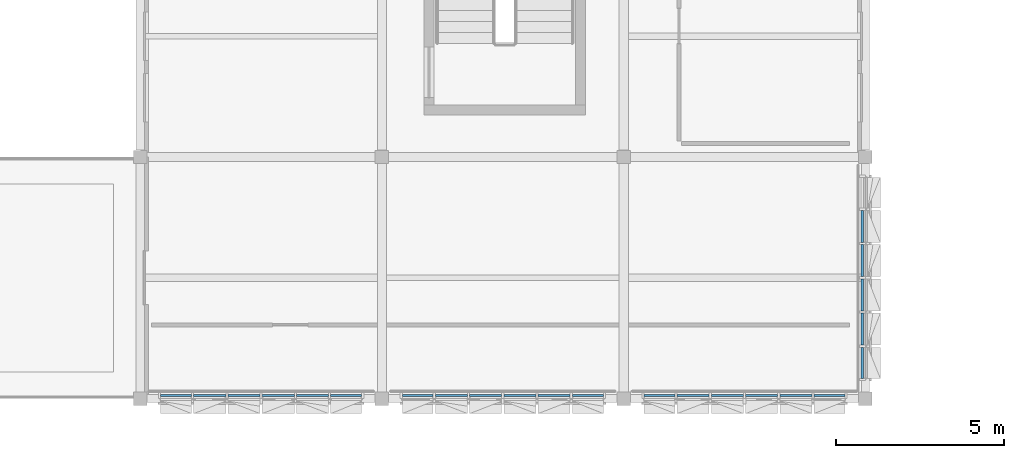
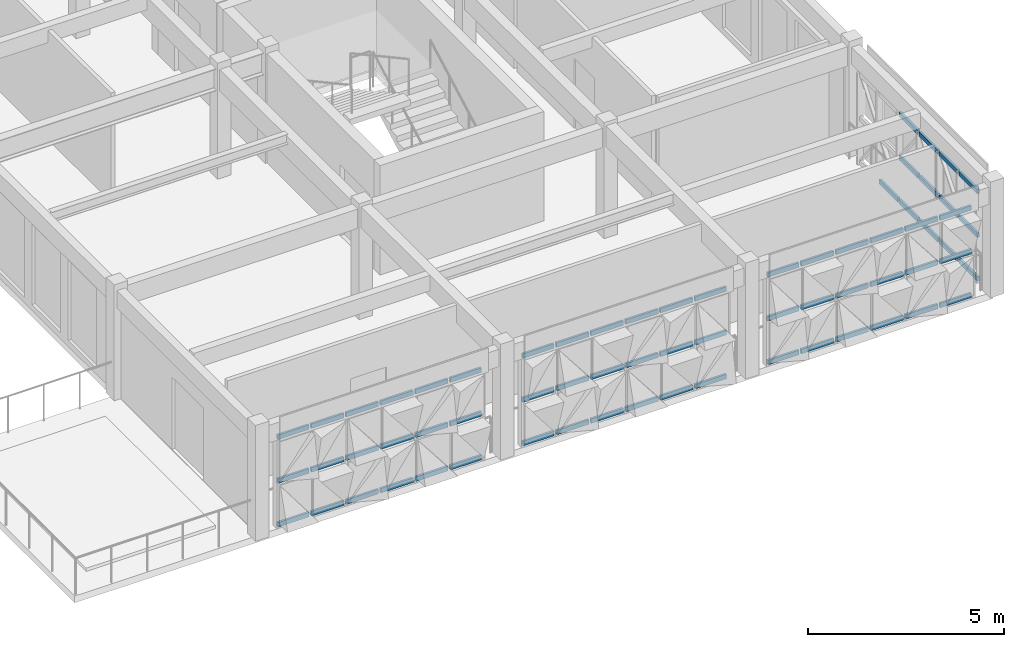
# One storey, part 8 of 25: 67 members, 4 elements without a shape of their own.
"""IFC4 building model written with IfcOpenShell, lengths in metres."""

from ifc_helpers import new_model, si_unit, direction, frame, origin, origin_2d, place, context, subcontext, project, spatial, rectangle, extrude, material, material_profile, profile_set, type_object, element, aggregate, save


model = new_model("IFC4")

# Units and contexts
model_context = context("Model", 3, precision=1e-05, world=origin(), true_north=direction((0.0, 1.0)))
body_context = subcontext(model_context, "Body", "Model", "MODEL_VIEW")
ifc_project = project(units=[si_unit("LENGTHUNIT", "METRE"), si_unit("AREAUNIT", "SQUARE_METRE"), si_unit("VOLUMEUNIT", "CUBIC_METRE"), si_unit("PLANEANGLEUNIT", "RADIAN"), si_unit("MASSUNIT", "GRAM", prefix="KILO")], contexts=[model_context])

# Site, building, storey
site_placement = place(None, origin())
site = spatial("IfcSite", under=ifc_project, at=site_placement, CompositionType="ELEMENT")
building_placement = place(site_placement, origin())
building = spatial("IfcBuilding", under=site, at=building_placement, Name="Alvorim Cloister Faculty of Sciences", CompositionType="ELEMENT")
storey_placement = place(building_placement, frame((0.0, 0.0, 29.699951171875)))
storey = spatial("IfcBuildingStorey", under=building, at=storey_placement, Name="L08", CompositionType="ELEMENT", Elevation=29.699951171875)

# Curtain wall, members
ifc_material_1 = material(Name="Aluminium and Low-E Glass Curtain Wall", Category="aluminium")
curtain_wall_type = type_object("IfcCurtainWallType", Name="CW-TRI-6120x2860", PredefinedType="USERDEFINED", material=ifc_material_1)
curtain_wall_1_placement = place(storey_placement, origin())
curtain_wall_1 = element("IfcCurtainWall", 1, at=curtain_wall_1_placement, inside=storey, type_object=curtain_wall_type, Name="L08 Diagonal Cassette Curtain Wall CW-0297", ObjectType="UNITISED CURTAIN WALL", PredefinedType="USERDEFINED")
ifc_material_2 = material(Name="Aluminium Alloy 6063-T6", Category="aluminium")
ifc_material_profile = material_profile(ifc_material_2, rectangle(XDim=0.06494140625, YDim=0.139892578125, at=origin_2d()), Name="ALU-TRN-65x140")
ifc_profile_set = profile_set([ifc_material_profile], Name="Aluminium Alloy 6063-T6")
member_type = type_object("IfcMemberType", Name="CW-TRN-65x140", PredefinedType="USERDEFINED", material=ifc_profile_set)
member_1_placement = place(storey_placement, frame((28.7099609375, 7.804931640625, 0.070068359375), z_axis=(0.0, 1.0, 0.0), x_axis=(-1.0, 0.0, 0.0)))
member_1 = element("IfcMember", 2, at=member_1_placement, type_object=member_type, Name="CW-0297 Transom 1.1", ObjectType="TRANSOM", PredefinedType="USERDEFINED", context=body_context, shape_type="SweptSolid", body=[
    extrude(rectangle(XDim=0.06494140625, YDim=0.139892578125, at=origin_2d()), origin(), (0.0, 0.0, 1.0), 0.922607421875),
])
member_2_placement = place(storey_placement, frame((28.7099609375, 7.804931640625, 1.429931640625), z_axis=(0.0, 1.0, 0.0), x_axis=(-1.0, 0.0, 0.0)))
member_2 = element("IfcMember", 3, at=member_2_placement, type_object=member_type, Name="CW-0297 Transom 1.2", ObjectType="TRANSOM", PredefinedType="USERDEFINED", context=body_context, shape_type="SweptSolid", body=[
    extrude(rectangle(XDim=0.06494140625, YDim=0.139892578125, at=origin_2d()), origin(), (0.0, 0.0, 1.0), 0.922607421875),
])
member_3_placement = place(storey_placement, frame((28.7099609375, 7.804931640625, 2.7900390625), z_axis=(0.0, 1.0, 0.0), x_axis=(-1.0, 0.0, 0.0)))
member_3 = element("IfcMember", 4, at=member_3_placement, type_object=member_type, Name="CW-0297 Transom 1.3", ObjectType="TRANSOM", PredefinedType="USERDEFINED", context=body_context, shape_type="SweptSolid", body=[
    extrude(rectangle(XDim=0.06494140625, YDim=0.139892578125, at=origin_2d()), origin(), (0.0, 0.0, 1.0), 0.922607421875),
])
member_4_placement = place(storey_placement, frame((28.7099609375, 8.79248046875, 0.070068359375), z_axis=(0.0, 1.0, 0.0), x_axis=(-1.0, 0.0, 0.0)))
member_4 = element("IfcMember", 5, at=member_4_placement, type_object=member_type, Name="CW-0297 Transom 2.1", ObjectType="TRANSOM", PredefinedType="USERDEFINED", context=body_context, shape_type="SweptSolid", body=[
    extrude(rectangle(XDim=0.06494140625, YDim=0.139892578125, at=origin_2d()), origin(), (0.0, 0.0, 1.0), 0.955078125),
])
member_5_placement = place(storey_placement, frame((28.7099609375, 8.79248046875, 1.429931640625), z_axis=(0.0, 1.0, 0.0), x_axis=(-1.0, 0.0, 0.0)))
member_5 = element("IfcMember", 6, at=member_5_placement, type_object=member_type, Name="CW-0297 Transom 2.2", ObjectType="TRANSOM", PredefinedType="USERDEFINED", context=body_context, shape_type="SweptSolid", body=[
    extrude(rectangle(XDim=0.06494140625, YDim=0.139892578125, at=origin_2d()), origin(), (0.0, 0.0, 1.0), 0.955078125),
])
member_6_placement = place(storey_placement, frame((28.7099609375, 8.79248046875, 2.7900390625), z_axis=(0.0, 1.0, 0.0), x_axis=(-1.0, 0.0, 0.0)))
member_6 = element("IfcMember", 7, at=member_6_placement, type_object=member_type, Name="CW-0297 Transom 2.3", ObjectType="TRANSOM", PredefinedType="USERDEFINED", context=body_context, shape_type="SweptSolid", body=[
    extrude(rectangle(XDim=0.06494140625, YDim=0.139892578125, at=origin_2d()), origin(), (0.0, 0.0, 1.0), 0.955078125),
])
member_7_placement = place(storey_placement, frame((28.7099609375, 9.8125, 0.070068359375), z_axis=(0.0, 1.0, 0.0), x_axis=(-1.0, 0.0, 0.0)))
member_7 = element("IfcMember", 8, at=member_7_placement, type_object=member_type, Name="CW-0297 Transom 3.1", ObjectType="TRANSOM", PredefinedType="USERDEFINED", context=body_context, shape_type="SweptSolid", body=[
    extrude(rectangle(XDim=0.06494140625, YDim=0.139892578125, at=origin_2d()), origin(), (0.0, 0.0, 1.0), 0.955078125),
])
member_8_placement = place(storey_placement, frame((28.7099609375, 9.8125, 1.429931640625), z_axis=(0.0, 1.0, 0.0), x_axis=(-1.0, 0.0, 0.0)))
member_8 = element("IfcMember", 9, at=member_8_placement, type_object=member_type, Name="CW-0297 Transom 3.2", ObjectType="TRANSOM", PredefinedType="USERDEFINED", context=body_context, shape_type="SweptSolid", body=[
    extrude(rectangle(XDim=0.06494140625, YDim=0.139892578125, at=origin_2d()), origin(), (0.0, 0.0, 1.0), 0.955078125),
])
member_9_placement = place(storey_placement, frame((28.7099609375, 9.8125, 2.7900390625), z_axis=(0.0, 1.0, 0.0), x_axis=(-1.0, 0.0, 0.0)))
member_9 = element("IfcMember", 10, at=member_9_placement, type_object=member_type, Name="CW-0297 Transom 3.3", ObjectType="TRANSOM", PredefinedType="USERDEFINED", context=body_context, shape_type="SweptSolid", body=[
    extrude(rectangle(XDim=0.06494140625, YDim=0.139892578125, at=origin_2d()), origin(), (0.0, 0.0, 1.0), 0.955078125),
])
member_10_placement = place(storey_placement, frame((28.7099609375, 10.83251953125, 0.070068359375), z_axis=(0.0, 1.0, 0.0), x_axis=(-1.0, 0.0, 0.0)))
member_10 = element("IfcMember", 11, at=member_10_placement, type_object=member_type, Name="CW-0297 Transom 4.1", ObjectType="TRANSOM", PredefinedType="USERDEFINED", context=body_context, shape_type="SweptSolid", body=[
    extrude(rectangle(XDim=0.06494140625, YDim=0.139892578125, at=origin_2d()), origin(), (0.0, 0.0, 1.0), 0.955078125),
])
member_11_placement = place(storey_placement, frame((28.7099609375, 10.83251953125, 1.429931640625), z_axis=(0.0, 1.0, 0.0), x_axis=(-1.0, 0.0, 0.0)))
member_11 = element("IfcMember", 12, at=member_11_placement, type_object=member_type, Name="CW-0297 Transom 4.2", ObjectType="TRANSOM", PredefinedType="USERDEFINED", context=body_context, shape_type="SweptSolid", body=[
    extrude(rectangle(XDim=0.06494140625, YDim=0.139892578125, at=origin_2d()), origin(), (0.0, 0.0, 1.0), 0.955078125),
])
member_12_placement = place(storey_placement, frame((28.7099609375, 10.83251953125, 2.7900390625), z_axis=(0.0, 1.0, 0.0), x_axis=(-1.0, 0.0, 0.0)))
member_12 = element("IfcMember", 13, at=member_12_placement, type_object=member_type, Name="CW-0297 Transom 4.3", ObjectType="TRANSOM", PredefinedType="USERDEFINED", context=body_context, shape_type="SweptSolid", body=[
    extrude(rectangle(XDim=0.06494140625, YDim=0.139892578125, at=origin_2d()), origin(), (0.0, 0.0, 1.0), 0.955078125),
])
member_13_placement = place(storey_placement, frame((28.7099609375, 11.8525390625, 0.070068359375), z_axis=(0.0, 1.0, 0.0), x_axis=(-1.0, 0.0, 0.0)))
member_13 = element("IfcMember", 14, at=member_13_placement, type_object=member_type, Name="CW-0297 Transom 5.1", ObjectType="TRANSOM", PredefinedType="USERDEFINED", context=body_context, shape_type="SweptSolid", body=[
    extrude(rectangle(XDim=0.06494140625, YDim=0.139892578125, at=origin_2d()), origin(), (0.0, 0.0, 1.0), 0.955078125),
])
aggregate(curtain_wall_1, [member_1, member_2, member_3, member_4, member_5, member_6, member_7, member_8, member_9, member_10, member_11, member_12, member_13])

curtain_wall_2_placement = place(storey_placement, origin())
curtain_wall_2 = element("IfcCurtainWall", 15, at=curtain_wall_2_placement, inside=storey, type_object=curtain_wall_type, Name="L08 Diagonal Cassette Curtain Wall CW-0298", ObjectType="UNITISED CURTAIN WALL", PredefinedType="USERDEFINED")
member_14_placement = place(storey_placement, frame((22.205078125, 7.2900390625, 0.070068359375), z_axis=(1.0, 0.0, 0.0), x_axis=(0.0, 1.0, 0.0)))
member_14 = element("IfcMember", 16, at=member_14_placement, type_object=member_type, Name="CW-0298 Transom 1.1", ObjectType="TRANSOM", PredefinedType="USERDEFINED", context=body_context, shape_type="SweptSolid", body=[
    extrude(rectangle(XDim=0.06494140625, YDim=0.139892578125, at=origin_2d()), origin(), (0.0, 0.0, 1.0), 0.92236328125),
])
member_15_placement = place(storey_placement, frame((22.205078125, 7.2900390625, 1.429931640625), z_axis=(1.0, 0.0, 0.0), x_axis=(0.0, 1.0, 0.0)))
member_15 = element("IfcMember", 17, at=member_15_placement, type_object=member_type, Name="CW-0298 Transom 1.2", ObjectType="TRANSOM", PredefinedType="USERDEFINED", context=body_context, shape_type="SweptSolid", body=[
    extrude(rectangle(XDim=0.06494140625, YDim=0.139892578125, at=origin_2d()), origin(), (0.0, 0.0, 1.0), 0.92236328125),
])
member_16_placement = place(storey_placement, frame((22.205078125, 7.2900390625, 2.7900390625), z_axis=(1.0, 0.0, 0.0), x_axis=(0.0, 1.0, 0.0)))
member_16 = element("IfcMember", 18, at=member_16_placement, type_object=member_type, Name="CW-0298 Transom 1.3", ObjectType="TRANSOM", PredefinedType="USERDEFINED", context=body_context, shape_type="SweptSolid", body=[
    extrude(rectangle(XDim=0.06494140625, YDim=0.139892578125, at=origin_2d()), origin(), (0.0, 0.0, 1.0), 0.92236328125),
])
member_17_placement = place(storey_placement, frame((23.1923828125, 7.2900390625, 0.070068359375), z_axis=(1.0, 0.0, 0.0), x_axis=(0.0, 1.0, 0.0)))
member_17 = element("IfcMember", 19, at=member_17_placement, type_object=member_type, Name="CW-0298 Transom 2.1", ObjectType="TRANSOM", PredefinedType="USERDEFINED", context=body_context, shape_type="SweptSolid", body=[
    extrude(rectangle(XDim=0.06494140625, YDim=0.139892578125, at=origin_2d()), origin(), (0.0, 0.0, 1.0), 0.955078125),
])
member_18_placement = place(storey_placement, frame((23.1923828125, 7.2900390625, 1.429931640625), z_axis=(1.0, 0.0, 0.0), x_axis=(0.0, 1.0, 0.0)))
member_18 = element("IfcMember", 20, at=member_18_placement, type_object=member_type, Name="CW-0298 Transom 2.2", ObjectType="TRANSOM", PredefinedType="USERDEFINED", context=body_context, shape_type="SweptSolid", body=[
    extrude(rectangle(XDim=0.06494140625, YDim=0.139892578125, at=origin_2d()), origin(), (0.0, 0.0, 1.0), 0.955078125),
])
member_19_placement = place(storey_placement, frame((23.1923828125, 7.2900390625, 2.7900390625), z_axis=(1.0, 0.0, 0.0), x_axis=(0.0, 1.0, 0.0)))
member_19 = element("IfcMember", 21, at=member_19_placement, type_object=member_type, Name="CW-0298 Transom 2.3", ObjectType="TRANSOM", PredefinedType="USERDEFINED", context=body_context, shape_type="SweptSolid", body=[
    extrude(rectangle(XDim=0.06494140625, YDim=0.139892578125, at=origin_2d()), origin(), (0.0, 0.0, 1.0), 0.955078125),
])
member_20_placement = place(storey_placement, frame((24.21240234375, 7.2900390625, 0.070068359375), z_axis=(1.0, 0.0, 0.0), x_axis=(0.0, 1.0, 0.0)))
member_20 = element("IfcMember", 22, at=member_20_placement, type_object=member_type, Name="CW-0298 Transom 3.1", ObjectType="TRANSOM", PredefinedType="USERDEFINED", context=body_context, shape_type="SweptSolid", body=[
    extrude(rectangle(XDim=0.06494140625, YDim=0.139892578125, at=origin_2d()), origin(), (0.0, 0.0, 1.0), 0.955078125),
])
member_21_placement = place(storey_placement, frame((24.21240234375, 7.2900390625, 1.429931640625), z_axis=(1.0, 0.0, 0.0), x_axis=(0.0, 1.0, 0.0)))
member_21 = element("IfcMember", 23, at=member_21_placement, type_object=member_type, Name="CW-0298 Transom 3.2", ObjectType="TRANSOM", PredefinedType="USERDEFINED", context=body_context, shape_type="SweptSolid", body=[
    extrude(rectangle(XDim=0.06494140625, YDim=0.139892578125, at=origin_2d()), origin(), (0.0, 0.0, 1.0), 0.955078125),
])
member_22_placement = place(storey_placement, frame((24.21240234375, 7.2900390625, 2.7900390625), z_axis=(1.0, 0.0, 0.0), x_axis=(0.0, 1.0, 0.0)))
member_22 = element("IfcMember", 24, at=member_22_placement, type_object=member_type, Name="CW-0298 Transom 3.3", ObjectType="TRANSOM", PredefinedType="USERDEFINED", context=body_context, shape_type="SweptSolid", body=[
    extrude(rectangle(XDim=0.06494140625, YDim=0.139892578125, at=origin_2d()), origin(), (0.0, 0.0, 1.0), 0.955078125),
])
member_23_placement = place(storey_placement, frame((25.232421875, 7.2900390625, 0.070068359375), z_axis=(1.0, 0.0, 0.0), x_axis=(0.0, 1.0, 0.0)))
member_23 = element("IfcMember", 25, at=member_23_placement, type_object=member_type, Name="CW-0298 Transom 4.1", ObjectType="TRANSOM", PredefinedType="USERDEFINED", context=body_context, shape_type="SweptSolid", body=[
    extrude(rectangle(XDim=0.06494140625, YDim=0.139892578125, at=origin_2d()), origin(), (0.0, 0.0, 1.0), 0.955078125),
])
member_24_placement = place(storey_placement, frame((25.232421875, 7.2900390625, 1.429931640625), z_axis=(1.0, 0.0, 0.0), x_axis=(0.0, 1.0, 0.0)))
member_24 = element("IfcMember", 26, at=member_24_placement, type_object=member_type, Name="CW-0298 Transom 4.2", ObjectType="TRANSOM", PredefinedType="USERDEFINED", context=body_context, shape_type="SweptSolid", body=[
    extrude(rectangle(XDim=0.06494140625, YDim=0.139892578125, at=origin_2d()), origin(), (0.0, 0.0, 1.0), 0.955078125),
])
member_25_placement = place(storey_placement, frame((25.232421875, 7.2900390625, 2.7900390625), z_axis=(1.0, 0.0, 0.0), x_axis=(0.0, 1.0, 0.0)))
member_25 = element("IfcMember", 27, at=member_25_placement, type_object=member_type, Name="CW-0298 Transom 4.3", ObjectType="TRANSOM", PredefinedType="USERDEFINED", context=body_context, shape_type="SweptSolid", body=[
    extrude(rectangle(XDim=0.06494140625, YDim=0.139892578125, at=origin_2d()), origin(), (0.0, 0.0, 1.0), 0.955078125),
])
member_26_placement = place(storey_placement, frame((26.25244140625, 7.2900390625, 0.070068359375), z_axis=(1.0, 0.0, 0.0), x_axis=(0.0, 1.0, 0.0)))
member_26 = element("IfcMember", 28, at=member_26_placement, type_object=member_type, Name="CW-0298 Transom 5.1", ObjectType="TRANSOM", PredefinedType="USERDEFINED", context=body_context, shape_type="SweptSolid", body=[
    extrude(rectangle(XDim=0.06494140625, YDim=0.139892578125, at=origin_2d()), origin(), (0.0, 0.0, 1.0), 0.955078125),
])
member_27_placement = place(storey_placement, frame((26.25244140625, 7.2900390625, 1.429931640625), z_axis=(1.0, 0.0, 0.0), x_axis=(0.0, 1.0, 0.0)))
member_27 = element("IfcMember", 29, at=member_27_placement, type_object=member_type, Name="CW-0298 Transom 5.2", ObjectType="TRANSOM", PredefinedType="USERDEFINED", context=body_context, shape_type="SweptSolid", body=[
    extrude(rectangle(XDim=0.06494140625, YDim=0.139892578125, at=origin_2d()), origin(), (0.0, 0.0, 1.0), 0.955078125),
])
member_28_placement = place(storey_placement, frame((26.25244140625, 7.2900390625, 2.7900390625), z_axis=(1.0, 0.0, 0.0), x_axis=(0.0, 1.0, 0.0)))
member_28 = element("IfcMember", 30, at=member_28_placement, type_object=member_type, Name="CW-0298 Transom 5.3", ObjectType="TRANSOM", PredefinedType="USERDEFINED", context=body_context, shape_type="SweptSolid", body=[
    extrude(rectangle(XDim=0.06494140625, YDim=0.139892578125, at=origin_2d()), origin(), (0.0, 0.0, 1.0), 0.955078125),
])
member_29_placement = place(storey_placement, frame((27.2724609375, 7.2900390625, 0.070068359375), z_axis=(1.0, 0.0, 0.0), x_axis=(0.0, 1.0, 0.0)))
member_29 = element("IfcMember", 31, at=member_29_placement, type_object=member_type, Name="CW-0298 Transom 6.1", ObjectType="TRANSOM", PredefinedType="USERDEFINED", context=body_context, shape_type="SweptSolid", body=[
    extrude(rectangle(XDim=0.06494140625, YDim=0.139892578125, at=origin_2d()), origin(), (0.0, 0.0, 1.0), 0.922607421875),
])
member_30_placement = place(storey_placement, frame((27.2724609375, 7.2900390625, 1.429931640625), z_axis=(1.0, 0.0, 0.0), x_axis=(0.0, 1.0, 0.0)))
member_30 = element("IfcMember", 32, at=member_30_placement, type_object=member_type, Name="CW-0298 Transom 6.2", ObjectType="TRANSOM", PredefinedType="USERDEFINED", context=body_context, shape_type="SweptSolid", body=[
    extrude(rectangle(XDim=0.06494140625, YDim=0.139892578125, at=origin_2d()), origin(), (0.0, 0.0, 1.0), 0.922607421875),
])
member_31_placement = place(storey_placement, frame((27.2724609375, 7.2900390625, 2.7900390625), z_axis=(1.0, 0.0, 0.0), x_axis=(0.0, 1.0, 0.0)))
member_31 = element("IfcMember", 33, at=member_31_placement, type_object=member_type, Name="CW-0298 Transom 6.3", ObjectType="TRANSOM", PredefinedType="USERDEFINED", context=body_context, shape_type="SweptSolid", body=[
    extrude(rectangle(XDim=0.06494140625, YDim=0.139892578125, at=origin_2d()), origin(), (0.0, 0.0, 1.0), 0.922607421875),
])
aggregate(curtain_wall_2, [member_14, member_15, member_16, member_17, member_18, member_19, member_20, member_21, member_22, member_23, member_24, member_25, member_26, member_27, member_28, member_29, member_30, member_31])

curtain_wall_3_placement = place(storey_placement, origin())
curtain_wall_3 = element("IfcCurtainWall", 34, at=curtain_wall_3_placement, inside=storey, type_object=curtain_wall_type, Name="L08 Diagonal Cassette Curtain Wall CW-0299", ObjectType="UNITISED CURTAIN WALL", PredefinedType="USERDEFINED")
member_32_placement = place(storey_placement, frame((15.0048828125, 7.2900390625, 0.070068359375), z_axis=(1.0, 0.0, 0.0), x_axis=(0.0, 1.0, 0.0)))
member_32 = element("IfcMember", 35, at=member_32_placement, type_object=member_type, Name="CW-0299 Transom 1.1", ObjectType="TRANSOM", PredefinedType="USERDEFINED", context=body_context, shape_type="SweptSolid", body=[
    extrude(rectangle(XDim=0.06494140625, YDim=0.139892578125, at=origin_2d()), origin(), (0.0, 0.0, 1.0), 0.922607421875),
])
member_33_placement = place(storey_placement, frame((15.0048828125, 7.2900390625, 1.429931640625), z_axis=(1.0, 0.0, 0.0), x_axis=(0.0, 1.0, 0.0)))
member_33 = element("IfcMember", 36, at=member_33_placement, type_object=member_type, Name="CW-0299 Transom 1.2", ObjectType="TRANSOM", PredefinedType="USERDEFINED", context=body_context, shape_type="SweptSolid", body=[
    extrude(rectangle(XDim=0.06494140625, YDim=0.139892578125, at=origin_2d()), origin(), (0.0, 0.0, 1.0), 0.922607421875),
])
member_34_placement = place(storey_placement, frame((15.0048828125, 7.2900390625, 2.7900390625), z_axis=(1.0, 0.0, 0.0), x_axis=(0.0, 1.0, 0.0)))
member_34 = element("IfcMember", 37, at=member_34_placement, type_object=member_type, Name="CW-0299 Transom 1.3", ObjectType="TRANSOM", PredefinedType="USERDEFINED", context=body_context, shape_type="SweptSolid", body=[
    extrude(rectangle(XDim=0.06494140625, YDim=0.139892578125, at=origin_2d()), origin(), (0.0, 0.0, 1.0), 0.922607421875),
])
member_35_placement = place(storey_placement, frame((15.992431640625, 7.2900390625, 0.070068359375), z_axis=(1.0, 0.0, 0.0), x_axis=(0.0, 1.0, 0.0)))
member_35 = element("IfcMember", 38, at=member_35_placement, type_object=member_type, Name="CW-0299 Transom 2.1", ObjectType="TRANSOM", PredefinedType="USERDEFINED", context=body_context, shape_type="SweptSolid", body=[
    extrude(rectangle(XDim=0.06494140625, YDim=0.139892578125, at=origin_2d()), origin(), (0.0, 0.0, 1.0), 0.955078125),
])
member_36_placement = place(storey_placement, frame((15.992431640625, 7.2900390625, 1.429931640625), z_axis=(1.0, 0.0, 0.0), x_axis=(0.0, 1.0, 0.0)))
member_36 = element("IfcMember", 39, at=member_36_placement, type_object=member_type, Name="CW-0299 Transom 2.2", ObjectType="TRANSOM", PredefinedType="USERDEFINED", context=body_context, shape_type="SweptSolid", body=[
    extrude(rectangle(XDim=0.06494140625, YDim=0.139892578125, at=origin_2d()), origin(), (0.0, 0.0, 1.0), 0.955078125),
])
member_37_placement = place(storey_placement, frame((15.992431640625, 7.2900390625, 2.7900390625), z_axis=(1.0, 0.0, 0.0), x_axis=(0.0, 1.0, 0.0)))
member_37 = element("IfcMember", 40, at=member_37_placement, type_object=member_type, Name="CW-0299 Transom 2.3", ObjectType="TRANSOM", PredefinedType="USERDEFINED", context=body_context, shape_type="SweptSolid", body=[
    extrude(rectangle(XDim=0.06494140625, YDim=0.139892578125, at=origin_2d()), origin(), (0.0, 0.0, 1.0), 0.955078125),
])
member_38_placement = place(storey_placement, frame((17.012451171875, 7.2900390625, 0.070068359375), z_axis=(1.0, 0.0, 0.0), x_axis=(0.0, 1.0, 0.0)))
member_38 = element("IfcMember", 41, at=member_38_placement, type_object=member_type, Name="CW-0299 Transom 3.1", ObjectType="TRANSOM", PredefinedType="USERDEFINED", context=body_context, shape_type="SweptSolid", body=[
    extrude(rectangle(XDim=0.06494140625, YDim=0.139892578125, at=origin_2d()), origin(), (0.0, 0.0, 1.0), 0.955078125),
])
member_39_placement = place(storey_placement, frame((17.012451171875, 7.2900390625, 1.429931640625), z_axis=(1.0, 0.0, 0.0), x_axis=(0.0, 1.0, 0.0)))
member_39 = element("IfcMember", 42, at=member_39_placement, type_object=member_type, Name="CW-0299 Transom 3.2", ObjectType="TRANSOM", PredefinedType="USERDEFINED", context=body_context, shape_type="SweptSolid", body=[
    extrude(rectangle(XDim=0.06494140625, YDim=0.139892578125, at=origin_2d()), origin(), (0.0, 0.0, 1.0), 0.955078125),
])
member_40_placement = place(storey_placement, frame((17.012451171875, 7.2900390625, 2.7900390625), z_axis=(1.0, 0.0, 0.0), x_axis=(0.0, 1.0, 0.0)))
member_40 = element("IfcMember", 43, at=member_40_placement, type_object=member_type, Name="CW-0299 Transom 3.3", ObjectType="TRANSOM", PredefinedType="USERDEFINED", context=body_context, shape_type="SweptSolid", body=[
    extrude(rectangle(XDim=0.06494140625, YDim=0.139892578125, at=origin_2d()), origin(), (0.0, 0.0, 1.0), 0.955078125),
])
member_41_placement = place(storey_placement, frame((18.032470703125, 7.2900390625, 0.070068359375), z_axis=(1.0, 0.0, 0.0), x_axis=(0.0, 1.0, 0.0)))
member_41 = element("IfcMember", 44, at=member_41_placement, type_object=member_type, Name="CW-0299 Transom 4.1", ObjectType="TRANSOM", PredefinedType="USERDEFINED", context=body_context, shape_type="SweptSolid", body=[
    extrude(rectangle(XDim=0.06494140625, YDim=0.139892578125, at=origin_2d()), origin(), (0.0, 0.0, 1.0), 0.955078125),
])
member_42_placement = place(storey_placement, frame((18.032470703125, 7.2900390625, 1.429931640625), z_axis=(1.0, 0.0, 0.0), x_axis=(0.0, 1.0, 0.0)))
member_42 = element("IfcMember", 45, at=member_42_placement, type_object=member_type, Name="CW-0299 Transom 4.2", ObjectType="TRANSOM", PredefinedType="USERDEFINED", context=body_context, shape_type="SweptSolid", body=[
    extrude(rectangle(XDim=0.06494140625, YDim=0.139892578125, at=origin_2d()), origin(), (0.0, 0.0, 1.0), 0.955078125),
])
member_43_placement = place(storey_placement, frame((18.032470703125, 7.2900390625, 2.7900390625), z_axis=(1.0, 0.0, 0.0), x_axis=(0.0, 1.0, 0.0)))
member_43 = element("IfcMember", 46, at=member_43_placement, type_object=member_type, Name="CW-0299 Transom 4.3", ObjectType="TRANSOM", PredefinedType="USERDEFINED", context=body_context, shape_type="SweptSolid", body=[
    extrude(rectangle(XDim=0.06494140625, YDim=0.139892578125, at=origin_2d()), origin(), (0.0, 0.0, 1.0), 0.955078125),
])
member_44_placement = place(storey_placement, frame((19.052490234375, 7.2900390625, 0.070068359375), z_axis=(1.0, 0.0, 0.0), x_axis=(0.0, 1.0, 0.0)))
member_44 = element("IfcMember", 47, at=member_44_placement, type_object=member_type, Name="CW-0299 Transom 5.1", ObjectType="TRANSOM", PredefinedType="USERDEFINED", context=body_context, shape_type="SweptSolid", body=[
    extrude(rectangle(XDim=0.06494140625, YDim=0.139892578125, at=origin_2d()), origin(), (0.0, 0.0, 1.0), 0.955078125),
])
member_45_placement = place(storey_placement, frame((19.052490234375, 7.2900390625, 1.429931640625), z_axis=(1.0, 0.0, 0.0), x_axis=(0.0, 1.0, 0.0)))
member_45 = element("IfcMember", 48, at=member_45_placement, type_object=member_type, Name="CW-0299 Transom 5.2", ObjectType="TRANSOM", PredefinedType="USERDEFINED", context=body_context, shape_type="SweptSolid", body=[
    extrude(rectangle(XDim=0.06494140625, YDim=0.139892578125, at=origin_2d()), origin(), (0.0, 0.0, 1.0), 0.955078125),
])
member_46_placement = place(storey_placement, frame((19.052490234375, 7.2900390625, 2.7900390625), z_axis=(1.0, 0.0, 0.0), x_axis=(0.0, 1.0, 0.0)))
member_46 = element("IfcMember", 49, at=member_46_placement, type_object=member_type, Name="CW-0299 Transom 5.3", ObjectType="TRANSOM", PredefinedType="USERDEFINED", context=body_context, shape_type="SweptSolid", body=[
    extrude(rectangle(XDim=0.06494140625, YDim=0.139892578125, at=origin_2d()), origin(), (0.0, 0.0, 1.0), 0.955078125),
])
member_47_placement = place(storey_placement, frame((20.072509765625, 7.2900390625, 0.070068359375), z_axis=(1.0, 0.0, 0.0), x_axis=(0.0, 1.0, 0.0)))
member_47 = element("IfcMember", 50, at=member_47_placement, type_object=member_type, Name="CW-0299 Transom 6.1", ObjectType="TRANSOM", PredefinedType="USERDEFINED", context=body_context, shape_type="SweptSolid", body=[
    extrude(rectangle(XDim=0.06494140625, YDim=0.139892578125, at=origin_2d()), origin(), (0.0, 0.0, 1.0), 0.922607421875),
])
member_48_placement = place(storey_placement, frame((20.072509765625, 7.2900390625, 1.429931640625), z_axis=(1.0, 0.0, 0.0), x_axis=(0.0, 1.0, 0.0)))
member_48 = element("IfcMember", 51, at=member_48_placement, type_object=member_type, Name="CW-0299 Transom 6.2", ObjectType="TRANSOM", PredefinedType="USERDEFINED", context=body_context, shape_type="SweptSolid", body=[
    extrude(rectangle(XDim=0.06494140625, YDim=0.139892578125, at=origin_2d()), origin(), (0.0, 0.0, 1.0), 0.922607421875),
])
member_49_placement = place(storey_placement, frame((20.072509765625, 7.2900390625, 2.7900390625), z_axis=(1.0, 0.0, 0.0), x_axis=(0.0, 1.0, 0.0)))
member_49 = element("IfcMember", 52, at=member_49_placement, type_object=member_type, Name="CW-0299 Transom 6.3", ObjectType="TRANSOM", PredefinedType="USERDEFINED", context=body_context, shape_type="SweptSolid", body=[
    extrude(rectangle(XDim=0.06494140625, YDim=0.139892578125, at=origin_2d()), origin(), (0.0, 0.0, 1.0), 0.922607421875),
])
aggregate(curtain_wall_3, [member_32, member_33, member_34, member_35, member_36, member_37, member_38, member_39, member_40, member_41, member_42, member_43, member_44, member_45, member_46, member_47, member_48, member_49])

curtain_wall_4_placement = place(storey_placement, origin())
curtain_wall_4 = element("IfcCurtainWall", 53, at=curtain_wall_4_placement, inside=storey, type_object=curtain_wall_type, Name="L08 Diagonal Cassette Curtain Wall CW-0300", ObjectType="UNITISED CURTAIN WALL", PredefinedType="USERDEFINED")
member_50_placement = place(storey_placement, frame((7.804931640625, 7.2900390625, 0.070068359375), z_axis=(1.0, 0.0, 0.0), x_axis=(0.0, 1.0, 0.0)))
member_50 = element("IfcMember", 54, at=member_50_placement, type_object=member_type, Name="CW-0300 Transom 1.1", ObjectType="TRANSOM", PredefinedType="USERDEFINED", context=body_context, shape_type="SweptSolid", body=[
    extrude(rectangle(XDim=0.06494140625, YDim=0.139892578125, at=origin_2d()), origin(), (0.0, 0.0, 1.0), 0.922607421875),
])
member_51_placement = place(storey_placement, frame((7.804931640625, 7.2900390625, 1.429931640625), z_axis=(1.0, 0.0, 0.0), x_axis=(0.0, 1.0, 0.0)))
member_51 = element("IfcMember", 55, at=member_51_placement, type_object=member_type, Name="CW-0300 Transom 1.2", ObjectType="TRANSOM", PredefinedType="USERDEFINED", context=body_context, shape_type="SweptSolid", body=[
    extrude(rectangle(XDim=0.06494140625, YDim=0.139892578125, at=origin_2d()), origin(), (0.0, 0.0, 1.0), 0.922607421875),
])
member_52_placement = place(storey_placement, frame((7.804931640625, 7.2900390625, 2.7900390625), z_axis=(1.0, 0.0, 0.0), x_axis=(0.0, 1.0, 0.0)))
member_52 = element("IfcMember", 56, at=member_52_placement, type_object=member_type, Name="CW-0300 Transom 1.3", ObjectType="TRANSOM", PredefinedType="USERDEFINED", context=body_context, shape_type="SweptSolid", body=[
    extrude(rectangle(XDim=0.06494140625, YDim=0.139892578125, at=origin_2d()), origin(), (0.0, 0.0, 1.0), 0.922607421875),
])
member_53_placement = place(storey_placement, frame((8.79248046875, 7.2900390625, 0.070068359375), z_axis=(1.0, 0.0, 0.0), x_axis=(0.0, 1.0, 0.0)))
member_53 = element("IfcMember", 57, at=member_53_placement, type_object=member_type, Name="CW-0300 Transom 2.1", ObjectType="TRANSOM", PredefinedType="USERDEFINED", context=body_context, shape_type="SweptSolid", body=[
    extrude(rectangle(XDim=0.06494140625, YDim=0.139892578125, at=origin_2d()), origin(), (0.0, 0.0, 1.0), 0.955078125),
])
member_54_placement = place(storey_placement, frame((8.79248046875, 7.2900390625, 1.429931640625), z_axis=(1.0, 0.0, 0.0), x_axis=(0.0, 1.0, 0.0)))
member_54 = element("IfcMember", 58, at=member_54_placement, type_object=member_type, Name="CW-0300 Transom 2.2", ObjectType="TRANSOM", PredefinedType="USERDEFINED", context=body_context, shape_type="SweptSolid", body=[
    extrude(rectangle(XDim=0.06494140625, YDim=0.139892578125, at=origin_2d()), origin(), (0.0, 0.0, 1.0), 0.955078125),
])
member_55_placement = place(storey_placement, frame((8.79248046875, 7.2900390625, 2.7900390625), z_axis=(1.0, 0.0, 0.0), x_axis=(0.0, 1.0, 0.0)))
member_55 = element("IfcMember", 59, at=member_55_placement, type_object=member_type, Name="CW-0300 Transom 2.3", ObjectType="TRANSOM", PredefinedType="USERDEFINED", context=body_context, shape_type="SweptSolid", body=[
    extrude(rectangle(XDim=0.06494140625, YDim=0.139892578125, at=origin_2d()), origin(), (0.0, 0.0, 1.0), 0.955078125),
])
member_56_placement = place(storey_placement, frame((9.8125, 7.2900390625, 0.070068359375), z_axis=(1.0, 0.0, 0.0), x_axis=(0.0, 1.0, 0.0)))
member_56 = element("IfcMember", 60, at=member_56_placement, type_object=member_type, Name="CW-0300 Transom 3.1", ObjectType="TRANSOM", PredefinedType="USERDEFINED", context=body_context, shape_type="SweptSolid", body=[
    extrude(rectangle(XDim=0.06494140625, YDim=0.139892578125, at=origin_2d()), origin(), (0.0, 0.0, 1.0), 0.955078125),
])
member_57_placement = place(storey_placement, frame((9.8125, 7.2900390625, 1.429931640625), z_axis=(1.0, 0.0, 0.0), x_axis=(0.0, 1.0, 0.0)))
member_57 = element("IfcMember", 61, at=member_57_placement, type_object=member_type, Name="CW-0300 Transom 3.2", ObjectType="TRANSOM", PredefinedType="USERDEFINED", context=body_context, shape_type="SweptSolid", body=[
    extrude(rectangle(XDim=0.06494140625, YDim=0.139892578125, at=origin_2d()), origin(), (0.0, 0.0, 1.0), 0.955078125),
])
member_58_placement = place(storey_placement, frame((9.8125, 7.2900390625, 2.7900390625), z_axis=(1.0, 0.0, 0.0), x_axis=(0.0, 1.0, 0.0)))
member_58 = element("IfcMember", 62, at=member_58_placement, type_object=member_type, Name="CW-0300 Transom 3.3", ObjectType="TRANSOM", PredefinedType="USERDEFINED", context=body_context, shape_type="SweptSolid", body=[
    extrude(rectangle(XDim=0.06494140625, YDim=0.139892578125, at=origin_2d()), origin(), (0.0, 0.0, 1.0), 0.955078125),
])
member_59_placement = place(storey_placement, frame((10.83251953125, 7.2900390625, 0.070068359375), z_axis=(1.0, 0.0, 0.0), x_axis=(0.0, 1.0, 0.0)))
member_59 = element("IfcMember", 63, at=member_59_placement, type_object=member_type, Name="CW-0300 Transom 4.1", ObjectType="TRANSOM", PredefinedType="USERDEFINED", context=body_context, shape_type="SweptSolid", body=[
    extrude(rectangle(XDim=0.06494140625, YDim=0.139892578125, at=origin_2d()), origin(), (0.0, 0.0, 1.0), 0.955078125),
])
member_60_placement = place(storey_placement, frame((10.83251953125, 7.2900390625, 1.429931640625), z_axis=(1.0, 0.0, 0.0), x_axis=(0.0, 1.0, 0.0)))
member_60 = element("IfcMember", 64, at=member_60_placement, type_object=member_type, Name="CW-0300 Transom 4.2", ObjectType="TRANSOM", PredefinedType="USERDEFINED", context=body_context, shape_type="SweptSolid", body=[
    extrude(rectangle(XDim=0.06494140625, YDim=0.139892578125, at=origin_2d()), origin(), (0.0, 0.0, 1.0), 0.955078125),
])
member_61_placement = place(storey_placement, frame((10.83251953125, 7.2900390625, 2.7900390625), z_axis=(1.0, 0.0, 0.0), x_axis=(0.0, 1.0, 0.0)))
member_61 = element("IfcMember", 65, at=member_61_placement, type_object=member_type, Name="CW-0300 Transom 4.3", ObjectType="TRANSOM", PredefinedType="USERDEFINED", context=body_context, shape_type="SweptSolid", body=[
    extrude(rectangle(XDim=0.06494140625, YDim=0.139892578125, at=origin_2d()), origin(), (0.0, 0.0, 1.0), 0.955078125),
])
member_62_placement = place(storey_placement, frame((11.8525390625, 7.2900390625, 0.070068359375), z_axis=(1.0, 0.0, 0.0), x_axis=(0.0, 1.0, 0.0)))
member_62 = element("IfcMember", 66, at=member_62_placement, type_object=member_type, Name="CW-0300 Transom 5.1", ObjectType="TRANSOM", PredefinedType="USERDEFINED", context=body_context, shape_type="SweptSolid", body=[
    extrude(rectangle(XDim=0.06494140625, YDim=0.139892578125, at=origin_2d()), origin(), (0.0, 0.0, 1.0), 0.955078125),
])
member_63_placement = place(storey_placement, frame((11.8525390625, 7.2900390625, 1.429931640625), z_axis=(1.0, 0.0, 0.0), x_axis=(0.0, 1.0, 0.0)))
member_63 = element("IfcMember", 67, at=member_63_placement, type_object=member_type, Name="CW-0300 Transom 5.2", ObjectType="TRANSOM", PredefinedType="USERDEFINED", context=body_context, shape_type="SweptSolid", body=[
    extrude(rectangle(XDim=0.06494140625, YDim=0.139892578125, at=origin_2d()), origin(), (0.0, 0.0, 1.0), 0.955078125),
])
member_64_placement = place(storey_placement, frame((11.8525390625, 7.2900390625, 2.7900390625), z_axis=(1.0, 0.0, 0.0), x_axis=(0.0, 1.0, 0.0)))
member_64 = element("IfcMember", 68, at=member_64_placement, type_object=member_type, Name="CW-0300 Transom 5.3", ObjectType="TRANSOM", PredefinedType="USERDEFINED", context=body_context, shape_type="SweptSolid", body=[
    extrude(rectangle(XDim=0.06494140625, YDim=0.139892578125, at=origin_2d()), origin(), (0.0, 0.0, 1.0), 0.955078125),
])
member_65_placement = place(storey_placement, frame((12.87255859375, 7.2900390625, 0.070068359375), z_axis=(1.0, 0.0, 0.0), x_axis=(0.0, 1.0, 0.0)))
member_65 = element("IfcMember", 69, at=member_65_placement, type_object=member_type, Name="CW-0300 Transom 6.1", ObjectType="TRANSOM", PredefinedType="USERDEFINED", context=body_context, shape_type="SweptSolid", body=[
    extrude(rectangle(XDim=0.06494140625, YDim=0.139892578125, at=origin_2d()), origin(), (0.0, 0.0, 1.0), 0.92236328125),
])
member_66_placement = place(storey_placement, frame((12.87255859375, 7.2900390625, 1.429931640625), z_axis=(1.0, 0.0, 0.0), x_axis=(0.0, 1.0, 0.0)))
member_66 = element("IfcMember", 70, at=member_66_placement, type_object=member_type, Name="CW-0300 Transom 6.2", ObjectType="TRANSOM", PredefinedType="USERDEFINED", context=body_context, shape_type="SweptSolid", body=[
    extrude(rectangle(XDim=0.06494140625, YDim=0.139892578125, at=origin_2d()), origin(), (0.0, 0.0, 1.0), 0.92236328125),
])
member_67_placement = place(storey_placement, frame((12.87255859375, 7.2900390625, 2.7900390625), z_axis=(1.0, 0.0, 0.0), x_axis=(0.0, 1.0, 0.0)))
member_67 = element("IfcMember", 71, at=member_67_placement, type_object=member_type, Name="CW-0300 Transom 6.3", ObjectType="TRANSOM", PredefinedType="USERDEFINED", context=body_context, shape_type="SweptSolid", body=[
    extrude(rectangle(XDim=0.06494140625, YDim=0.139892578125, at=origin_2d()), origin(), (0.0, 0.0, 1.0), 0.92236328125),
])
aggregate(curtain_wall_4, [member_50, member_51, member_52, member_53, member_54, member_55, member_56, member_57, member_58, member_59, member_60, member_61, member_62, member_63, member_64, member_65, member_66, member_67])

save(model, "model.ifc")
